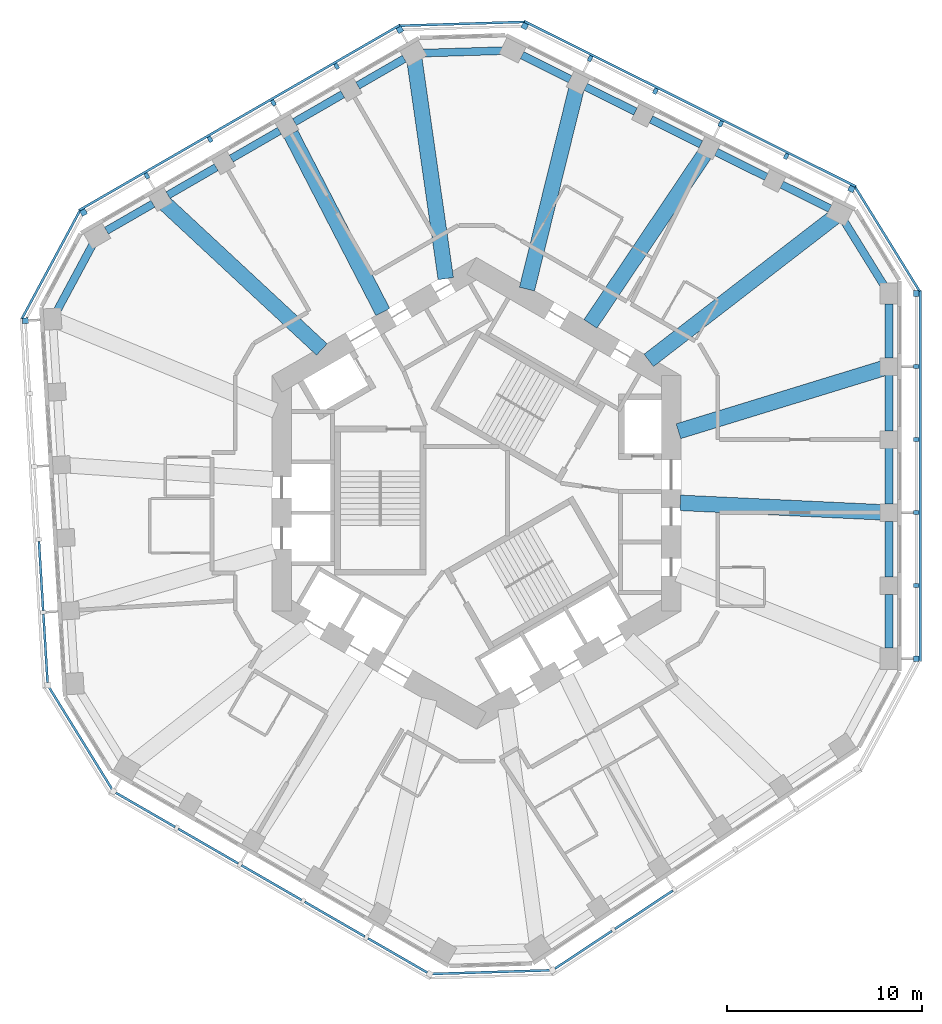
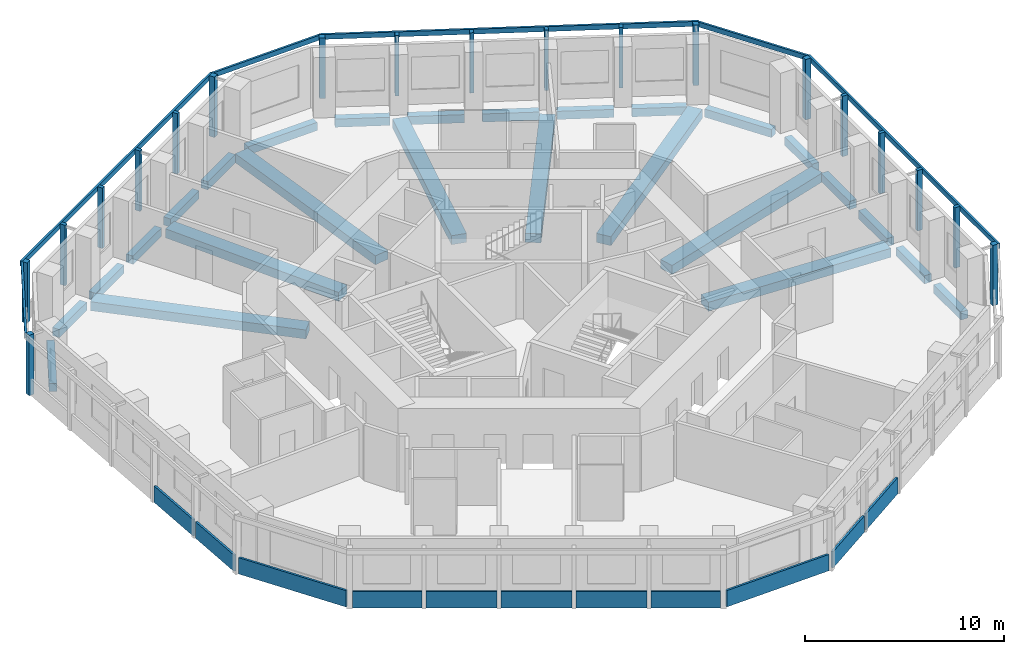
# One storey, part 2 of 11: 26 beams, 25 members, 11 plates, 11 elements without a shape of their own.
"""IFC4 building model written with IfcOpenShell, lengths in metres."""

from ifc_helpers import new_model, si_unit, direction, frame, origin, origin_2d, place, context, subcontext, project, spatial, rectangle, extrude, material, layer, layer_set, material_profile, profile_set, type_object, element, aggregate, save


model = new_model("IFC4")

# Units and contexts
model_context = context("Model", 3, precision=1e-05, world=origin(), true_north=direction((0.0, 1.0)))
body_context = subcontext(model_context, "Body", "Model", "MODEL_VIEW")
ifc_project = project(units=[si_unit("LENGTHUNIT", "METRE"), si_unit("AREAUNIT", "SQUARE_METRE"), si_unit("VOLUMEUNIT", "CUBIC_METRE"), si_unit("PLANEANGLEUNIT", "RADIAN"), si_unit("MASSUNIT", "GRAM", prefix="KILO")], contexts=[model_context])

# Site, building, storey
site_placement = place(None, origin())
site = spatial("IfcSite", under=ifc_project, at=site_placement, CompositionType="ELEMENT")
building_placement = place(site_placement, origin())
building = spatial("IfcBuilding", under=site, at=building_placement, Name="Vanh Sen Convention Tower", CompositionType="ELEMENT")
storey_placement = place(building_placement, frame((0.0, 0.0, 198.39990234375)))
storey = spatial("IfcBuildingStorey", under=building, at=storey_placement, Name="L49", CompositionType="ELEMENT", Elevation=198.39990234375)

# Curtain wall, members
ifc_material_1 = material(Name="Concrete C50/60", Category="concrete")
curtain_wall_type = type_object("IfcCurtainWallType", Name="Outer skin office zone", PredefinedType="NOTDEFINED", material=ifc_material_1)
curtain_wall_1_placement = place(storey_placement, origin())
curtain_wall_1 = element("IfcCurtainWall", 1, at=curtain_wall_1_placement, inside=storey, type_object=curtain_wall_type, Name="OUTER SKIN E L49", PredefinedType="NOTDEFINED")
ifc_material_profile_1 = material_profile(ifc_material_1, rectangle(XDim=0.300048828125, YDim=0.300048828125, at=origin_2d()), Name="Outer skin precast corner fin 300 x 300")
ifc_profile_set_1 = profile_set([ifc_material_profile_1], Name="Concrete C50/60")
member_type_1 = type_object("IfcMemberType", Name="Outer skin precast corner fin 300 x 300", PredefinedType="MULLION", material=ifc_profile_set_1)
member_1_placement = place(storey_placement, frame((22.60009765625, -8.5009765625, 0.0), z_axis=(0.0, 0.0, 1.0), x_axis=(0.0, 1.0, 0.0)))
member_1 = element("IfcMember", 2, at=member_1_placement, type_object=member_type_1, Name="OUTER SKIN CORNER FIN 1 E L49", PredefinedType="MULLION", context=body_context, shape_type="SweptSolid", body=[
    extrude(rectangle(XDim=0.300048828125, YDim=0.300048828125, at=origin_2d()), origin(), (0.0, 0.0, 1.0), 3.7001953125),
])
member_2_placement = place(storey_placement, frame((22.60009765625, 10.26953125, 0.0), z_axis=(0.0, 0.0, 1.0), x_axis=(0.0, 1.0, 0.0)))
member_2 = element("IfcMember", 3, at=member_2_placement, type_object=member_type_1, Name="OUTER SKIN CORNER FIN 6 E L49", PredefinedType="MULLION", context=body_context, shape_type="SweptSolid", body=[
    extrude(rectangle(XDim=0.300048828125, YDim=0.300048828125, at=origin_2d()), origin(), (0.0, 0.0, 1.0), 3.7001953125),
])

curtain_wall_2_placement = place(storey_placement, origin())
curtain_wall_2 = element("IfcCurtainWall", 4, at=curtain_wall_2_placement, inside=storey, type_object=curtain_wall_type, Name="OUTER SKIN NE L49", PredefinedType="NOTDEFINED")
member_3_placement = place(storey_placement, frame((19.274658203125, 15.643310546875, 0.0), z_axis=(0.0, 0.0, 1.0), x_axis=(-0.894934361602, 0.44619781311, 0.0)))
member_3 = element("IfcMember", 5, at=member_3_placement, type_object=member_type_1, Name="OUTER SKIN CORNER FIN 1 NE L49", PredefinedType="MULLION", context=body_context, shape_type="SweptSolid", body=[
    extrude(rectangle(XDim=0.300048828125, YDim=0.300048828125, at=origin_2d()), origin(), (0.0, 0.0, 1.0), 3.7001953125),
])
member_4_placement = place(storey_placement, frame((2.476318359375, 24.0185546875, 0.0), z_axis=(0.0, 0.0, 1.0), x_axis=(-0.894934361602, 0.44619781311, 0.0)))
member_4 = element("IfcMember", 6, at=member_4_placement, type_object=member_type_1, Name="OUTER SKIN CORNER FIN 6 NE L49", PredefinedType="MULLION", context=body_context, shape_type="SweptSolid", body=[
    extrude(rectangle(XDim=0.300048828125, YDim=0.300048828125, at=origin_2d()), origin(), (0.0, 0.0, 1.0), 3.7001953125),
])

curtain_wall_3_placement = place(storey_placement, origin())
curtain_wall_3 = element("IfcCurtainWall", 7, at=curtain_wall_3_placement, inside=storey, type_object=curtain_wall_type, Name="OUTER SKIN NW L49", PredefinedType="NOTDEFINED")
member_5_placement = place(storey_placement, frame((-3.93798828125, 23.822509765625, 0.0), z_axis=(0.0, 0.0, 1.0), x_axis=(-0.866025403784, -0.5, 0.0)))
member_5 = element("IfcMember", 8, at=member_5_placement, type_object=member_type_1, Name="OUTER SKIN CORNER FIN 1 NW L49", PredefinedType="MULLION", context=body_context, shape_type="SweptSolid", body=[
    extrude(rectangle(XDim=0.300048828125, YDim=0.300048828125, at=origin_2d()), origin(), (0.0, 0.0, 1.0), 3.7001953125),
])
member_6_placement = place(storey_placement, frame((-20.193603515625, 14.4375, 0.0), z_axis=(0.0, 0.0, 1.0), x_axis=(-0.866025403784, -0.5, 0.0)))
member_6 = element("IfcMember", 9, at=member_6_placement, type_object=member_type_1, Name="OUTER SKIN CORNER FIN 6 NW L49", PredefinedType="MULLION", context=body_context, shape_type="SweptSolid", body=[
    extrude(rectangle(XDim=0.300048828125, YDim=0.300048828125, at=origin_2d()), origin(), (0.0, 0.0, 1.0), 3.7001953125),
])

# Curtain wall, member
curtain_wall_4_placement = place(storey_placement, origin())
curtain_wall_4 = element("IfcCurtainWall", 10, at=curtain_wall_4_placement, inside=storey, type_object=curtain_wall_type, Name="OUTER SKIN W L49", PredefinedType="NOTDEFINED")
member_7_placement = place(storey_placement, frame((-23.184814453125, 8.87060546875, 0.0), z_axis=(0.0, 0.0, 1.0), x_axis=(0.061048539535, -0.998134798422, 0.0)))
member_7 = element("IfcMember", 11, at=member_7_placement, type_object=member_type_1, Name="OUTER SKIN CORNER FIN 1 W L49", PredefinedType="MULLION", context=body_context, shape_type="SweptSolid", body=[
    extrude(rectangle(XDim=0.300048828125, YDim=0.300048828125, at=origin_2d()), origin(), (0.0, 0.0, 1.0), 3.7001953125),
])

# Member
ifc_material_profile_2 = material_profile(ifc_material_1, rectangle(XDim=0.199951171875, YDim=0.300048828125, at=origin_2d()), Name="Outer skin precast fin 200 x 300")
ifc_profile_set_2 = profile_set([ifc_material_profile_2], Name="Concrete C50/60")
member_type_2 = type_object("IfcMemberType", Name="Outer skin precast fin 200 x 300", PredefinedType="MULLION", material=ifc_profile_set_2)
member_8_placement = place(storey_placement, frame((22.60009765625, -4.746826171875, 0.0), z_axis=(0.0, 0.0, 1.0), x_axis=(0.0, 1.0, 0.0)))
member_8 = element("IfcMember", 12, at=member_8_placement, type_object=member_type_2, Name="OUTER SKIN fin 2 E L49", PredefinedType="MULLION", context=body_context, shape_type="SweptSolid", body=[
    extrude(rectangle(XDim=0.199951171875, YDim=0.300048828125, at=origin_2d()), origin(), (0.0, 0.0, 1.0), 3.7001953125),
])

member_9_placement = place(storey_placement, frame((22.60009765625, -0.992919921875, 0.0), z_axis=(0.0, 0.0, 1.0), x_axis=(0.0, 1.0, 0.0)))
member_9 = element("IfcMember", 13, at=member_9_placement, type_object=member_type_2, Name="OUTER SKIN fin 3 E L49", PredefinedType="MULLION", context=body_context, shape_type="SweptSolid", body=[
    extrude(rectangle(XDim=0.199951171875, YDim=0.300048828125, at=origin_2d()), origin(), (0.0, 0.0, 1.0), 3.7001953125),
])

member_10_placement = place(storey_placement, frame((22.60009765625, 2.76123046875, 0.0), z_axis=(0.0, 0.0, 1.0), x_axis=(0.0, 1.0, 0.0)))
member_10 = element("IfcMember", 14, at=member_10_placement, type_object=member_type_2, Name="OUTER SKIN fin 4 E L49", PredefinedType="MULLION", context=body_context, shape_type="SweptSolid", body=[
    extrude(rectangle(XDim=0.199951171875, YDim=0.300048828125, at=origin_2d()), origin(), (0.0, 0.0, 1.0), 3.7001953125),
])

member_11_placement = place(storey_placement, frame((22.60009765625, 6.515380859375, 0.0), z_axis=(0.0, 0.0, 1.0), x_axis=(0.0, 1.0, 0.0)))
member_11 = element("IfcMember", 15, at=member_11_placement, type_object=member_type_2, Name="OUTER SKIN fin 5 E L49", PredefinedType="MULLION", context=body_context, shape_type="SweptSolid", body=[
    extrude(rectangle(XDim=0.199951171875, YDim=0.300048828125, at=origin_2d()), origin(), (0.0, 0.0, 1.0), 3.7001953125),
])

member_12_placement = place(storey_placement, frame((15.9150390625, 17.318359375, 0.0), z_axis=(0.0, 0.0, 1.0), x_axis=(-0.894934361602, 0.44619781311, 0.0)))
member_12 = element("IfcMember", 16, at=member_12_placement, type_object=member_type_2, Name="OUTER SKIN fin 2 NE L49", PredefinedType="MULLION", context=body_context, shape_type="SweptSolid", body=[
    extrude(rectangle(XDim=0.199951171875, YDim=0.300048828125, at=origin_2d()), origin(), (0.0, 0.0, 1.0), 3.7001953125),
])

member_13_placement = place(storey_placement, frame((12.555419921875, 18.993408203125, 0.0), z_axis=(0.0, 0.0, 1.0), x_axis=(-0.894934361602, 0.44619781311, 0.0)))
member_13 = element("IfcMember", 17, at=member_13_placement, type_object=member_type_2, Name="OUTER SKIN fin 3 NE L49", PredefinedType="MULLION", context=body_context, shape_type="SweptSolid", body=[
    extrude(rectangle(XDim=0.199951171875, YDim=0.300048828125, at=origin_2d()), origin(), (0.0, 0.0, 1.0), 3.7001953125),
])

member_14_placement = place(storey_placement, frame((9.195556640625, 20.66845703125, 0.0), z_axis=(0.0, 0.0, 1.0), x_axis=(-0.894934361602, 0.44619781311, 0.0)))
member_14 = element("IfcMember", 18, at=member_14_placement, type_object=member_type_2, Name="OUTER SKIN fin 4 NE L49", PredefinedType="MULLION", context=body_context, shape_type="SweptSolid", body=[
    extrude(rectangle(XDim=0.199951171875, YDim=0.300048828125, at=origin_2d()), origin(), (0.0, 0.0, 1.0), 3.7001953125),
])

member_15_placement = place(storey_placement, frame((5.8359375, 22.343505859375, 0.0), z_axis=(0.0, 0.0, 1.0), x_axis=(-0.894934361602, 0.44619781311, 0.0)))
member_15 = element("IfcMember", 19, at=member_15_placement, type_object=member_type_2, Name="OUTER SKIN fin 5 NE L49", PredefinedType="MULLION", context=body_context, shape_type="SweptSolid", body=[
    extrude(rectangle(XDim=0.199951171875, YDim=0.300048828125, at=origin_2d()), origin(), (0.0, 0.0, 1.0), 3.7001953125),
])

member_16_placement = place(storey_placement, frame((-7.189208984375, 21.945556640625, 0.0), z_axis=(0.0, 0.0, 1.0), x_axis=(-0.866025403784, -0.5, 0.0)))
member_16 = element("IfcMember", 20, at=member_16_placement, type_object=member_type_2, Name="OUTER SKIN fin 2 NW L49", PredefinedType="MULLION", context=body_context, shape_type="SweptSolid", body=[
    extrude(rectangle(XDim=0.199951171875, YDim=0.300048828125, at=origin_2d()), origin(), (0.0, 0.0, 1.0), 3.7001953125),
])

member_17_placement = place(storey_placement, frame((-10.440185546875, 20.068603515625, 0.0), z_axis=(0.0, 0.0, 1.0), x_axis=(-0.866025403784, -0.5, 0.0)))
member_17 = element("IfcMember", 21, at=member_17_placement, type_object=member_type_2, Name="OUTER SKIN fin 3 NW L49", PredefinedType="MULLION", context=body_context, shape_type="SweptSolid", body=[
    extrude(rectangle(XDim=0.199951171875, YDim=0.300048828125, at=origin_2d()), origin(), (0.0, 0.0, 1.0), 3.7001953125),
])

member_18_placement = place(storey_placement, frame((-13.69140625, 18.19140625, 0.0), z_axis=(0.0, 0.0, 1.0), x_axis=(-0.866025403784, -0.5, 0.0)))
member_18 = element("IfcMember", 22, at=member_18_placement, type_object=member_type_2, Name="OUTER SKIN fin 4 NW L49", PredefinedType="MULLION", context=body_context, shape_type="SweptSolid", body=[
    extrude(rectangle(XDim=0.199951171875, YDim=0.300048828125, at=origin_2d()), origin(), (0.0, 0.0, 1.0), 3.7001953125),
])

member_19_placement = place(storey_placement, frame((-16.9423828125, 16.314453125, 0.0), z_axis=(0.0, 0.0, 1.0), x_axis=(-0.866025403784, -0.5, 0.0)))
member_19 = element("IfcMember", 23, at=member_19_placement, type_object=member_type_2, Name="OUTER SKIN fin 5 NW L49", PredefinedType="MULLION", context=body_context, shape_type="SweptSolid", body=[
    extrude(rectangle(XDim=0.199951171875, YDim=0.300048828125, at=origin_2d()), origin(), (0.0, 0.0, 1.0), 3.7001953125),
])

ifc_material_profile_3 = material_profile(ifc_material_1, rectangle(XDim=0.1201171875, YDim=0.300048828125, at=origin_2d()), Name="Outer skin precast spandrel band 300 x 120")
ifc_profile_set_3 = profile_set([ifc_material_profile_3], Name="Concrete C50/60")
member_type_3 = type_object("IfcMemberType", Name="Outer skin precast spandrel band 300 x 120", PredefinedType="USERDEFINED", material=ifc_profile_set_3)
member_20_placement = place(storey_placement, frame((22.81005859375, -8.65087890625, 3.550048828125), z_axis=(0.0, 1.0, 0.0), x_axis=(-1.0, 0.0, 0.0)))
member_20 = element("IfcMember", 24, at=member_20_placement, type_object=member_type_3, Name="OUTER SKIN spandrel band E L49", ObjectType="TRANSOM", PredefinedType="USERDEFINED", context=body_context, shape_type="SweptSolid", body=[
    extrude(rectangle(XDim=0.1201171875, YDim=0.300048828125, at=origin_2d()), origin(), (0.0, 0.0, 1.0), 19.0703125),
])

aggregate(curtain_wall_1, [member_1, member_8, member_9, member_10, member_11, member_2, member_20])

# Curtain wall, member
curtain_wall_5_placement = place(storey_placement, origin())
curtain_wall_5 = element("IfcCurtainWall", 25, at=curtain_wall_5_placement, inside=storey, type_object=curtain_wall_type, Name="OUTER SKIN CH1 L49", PredefinedType="NOTDEFINED")
member_21_placement = place(storey_placement, frame((22.778564453125, 10.3798828125, 3.550048828125), z_axis=(-0.526173726926, 0.850377098171, 0.0), x_axis=(-0.850377098171, -0.526173726926, 0.0)))
member_21 = element("IfcMember", 26, at=member_21_placement, type_object=member_type_3, Name="OUTER SKIN spandrel band CH1 L49", ObjectType="TRANSOM", PredefinedType="USERDEFINED", context=body_context, shape_type="SweptSolid", body=[
    extrude(rectangle(XDim=0.1201171875, YDim=0.300048828125, at=origin_2d()), origin(), (0.0, 0.0, 1.0), 6.319580078125),
])
aggregate(curtain_wall_5, [member_21])

# Member
member_22_placement = place(storey_placement, frame((19.502685546875, 15.764404296875, 3.550048828125), z_axis=(-0.894941234474, 0.446184027996, 0.0), x_axis=(-0.446184027996, -0.894941234474, 0.0)))
member_22 = element("IfcMember", 27, at=member_22_placement, type_object=member_type_3, Name="OUTER SKIN spandrel band NE L49", ObjectType="TRANSOM", PredefinedType="USERDEFINED", context=body_context, shape_type="SweptSolid", body=[
    extrude(rectangle(XDim=0.1201171875, YDim=0.300048828125, at=origin_2d()), origin(), (0.0, 0.0, 1.0), 19.07080078125),
])

aggregate(curtain_wall_2, [member_3, member_12, member_13, member_14, member_15, member_4, member_22])

# Curtain wall, member
curtain_wall_6_placement = place(storey_placement, origin())
curtain_wall_6 = element("IfcCurtainWall", 28, at=curtain_wall_6_placement, inside=storey, type_object=curtain_wall_type, Name="OUTER SKIN CH2 L49", PredefinedType="NOTDEFINED")
member_23_placement = place(storey_placement, frame((2.4697265625, 24.228515625, 3.550048828125), z_axis=(-0.999533221695, -0.030550592913, 0.0), x_axis=(0.030550592913, -0.999533221695, 0.0)))
member_23 = element("IfcMember", 29, at=member_23_placement, type_object=member_type_3, Name="OUTER SKIN spandrel band CH2 L49", ObjectType="TRANSOM", PredefinedType="USERDEFINED", context=body_context, shape_type="SweptSolid", body=[
    extrude(rectangle(XDim=0.1201171875, YDim=0.300048828125, at=origin_2d()), origin(), (0.0, 0.0, 1.0), 6.4169921875),
])
aggregate(curtain_wall_6, [member_23])

# Member
member_24_placement = place(storey_placement, frame((-3.9130859375, 24.07958984375, 3.550048828125), z_axis=(-0.866023136587, -0.500003926881, 0.0), x_axis=(0.500003926881, -0.866023136587, 0.0)))
member_24 = element("IfcMember", 30, at=member_24_placement, type_object=member_type_3, Name="OUTER SKIN spandrel band NW L49", ObjectType="TRANSOM", PredefinedType="USERDEFINED", context=body_context, shape_type="SweptSolid", body=[
    extrude(rectangle(XDim=0.1201171875, YDim=0.300048828125, at=origin_2d()), origin(), (0.0, 0.0, 1.0), 19.070556640625),
])

aggregate(curtain_wall_3, [member_5, member_16, member_17, member_18, member_19, member_6, member_24])

# Curtain wall, member
curtain_wall_7_placement = place(storey_placement, origin())
curtain_wall_7 = element("IfcCurtainWall", 31, at=curtain_wall_7_placement, inside=storey, type_object=curtain_wall_type, Name="OUTER SKIN CH3 L49", PredefinedType="NOTDEFINED")
member_25_placement = place(storey_placement, frame((-20.378662109375, 14.536865234375, 3.550048828125), z_axis=(-0.47333707755, -0.880881383057, 0.0), x_axis=(0.880881383057, -0.47333707755, 0.0)))
member_25 = element("IfcMember", 32, at=member_25_placement, type_object=member_type_3, Name="OUTER SKIN spandrel band CH3 L49", ObjectType="TRANSOM", PredefinedType="USERDEFINED", context=body_context, shape_type="SweptSolid", body=[
    extrude(rectangle(XDim=0.1201171875, YDim=0.300048828125, at=origin_2d()), origin(), (0.0, 0.0, 1.0), 6.3193359375),
])
aggregate(curtain_wall_7, [member_25])

# Beams
ifc_material_2 = material(Name="Concrete C50/60", Category="concrete")
ifc_material_profile_4 = material_profile(ifc_material_2, rectangle(XDim=0.800048828125, YDim=0.550048828125, at=origin_2d()), Name="RC 800X550")
ifc_profile_set_4 = profile_set([ifc_material_profile_4], Name="Concrete C50/60")
beam_type_1 = type_object("IfcBeamType", Name="Radial floor beam 800 x 550", PredefinedType="BEAM", material=ifc_profile_set_4)
beam_1_placement = place(storey_placement, frame((20.773681640625, -0.972900390625, -0.554931640625), z_axis=(-0.998904385593, 0.046797739721, 0.0), x_axis=(-0.046797739721, -0.998904385593, 0.0)))
element("IfcBeam", 33, at=beam_1_placement, inside=storey, type_object=beam_type_1, Name="Radial beam 02 L49", PredefinedType="BEAM", context=body_context, shape_type="SweptSolid", body=[
    extrude(rectangle(XDim=0.800048828125, YDim=0.550048828125, at=origin_2d()), origin(), (0.0, 0.0, 1.0), 10.30859375),
])
beam_2_placement = place(storey_placement, frame((20.984619140625, 6.44921875, -0.554931640625), z_axis=(-0.955877901986, -0.293764253264, 0.0), x_axis=(0.293764253264, -0.955877901986, 0.0)))
element("IfcBeam", 34, at=beam_2_placement, inside=storey, type_object=beam_type_1, Name="Radial beam 03 L49", PredefinedType="BEAM", context=body_context, shape_type="SweptSolid", body=[
    extrude(rectangle(XDim=0.800048828125, YDim=0.550048828125, at=origin_2d()), origin(), (0.0, 0.0, 1.0), 11.096435546875),
])
beam_3_placement = place(storey_placement, frame((18.41162109375, 14.206298828125, -0.554931640625), z_axis=(-0.791722449679, -0.610880972591, 0.0), x_axis=(0.610880972591, -0.791722449679, 0.0)))
element("IfcBeam", 35, at=beam_3_placement, inside=storey, type_object=beam_type_1, Name="Radial beam 04 L49", PredefinedType="BEAM", context=body_context, shape_type="SweptSolid", body=[
    extrude(rectangle(XDim=0.800048828125, YDim=0.550048828125, at=origin_2d()), origin(), (0.0, 0.0, 1.0), 12.072021484375),
])
beam_4_placement = place(storey_placement, frame((11.709228515625, 17.411376953125, -0.554931640625), z_axis=(-0.55804705103, -0.829809308719, 0.0), x_axis=(0.829809308719, -0.55804705103, 0.0)))
element("IfcBeam", 36, at=beam_4_placement, inside=storey, type_object=beam_type_1, Name="Radial beam 05 L49", PredefinedType="BEAM", context=body_context, shape_type="SweptSolid", body=[
    extrude(rectangle(XDim=0.800048828125, YDim=0.550048828125, at=origin_2d()), origin(), (0.0, 0.0, 1.0), 10.490234375),
])
beam_5_placement = place(storey_placement, frame((5.14697265625, 20.83056640625, -0.554931640625), z_axis=(-0.239880379488, -0.970802453405, 0.0), x_axis=(0.970802453405, -0.239880379488, 0.0)))
element("IfcBeam", 37, at=beam_5_placement, inside=storey, type_object=beam_type_1, Name="Radial beam 06 L49", PredefinedType="BEAM", context=body_context, shape_type="SweptSolid", body=[
    extrude(rectangle(XDim=0.800048828125, YDim=0.550048828125, at=origin_2d()), origin(), (0.0, 0.0, 1.0), 10.647705078125),
])
beam_6_placement = place(storey_placement, frame((-3.192626953125, 22.2939453125, -0.554931640625), z_axis=(0.141775948022, -0.989898772887, 0.0), x_axis=(0.989898772887, 0.141775948022, 0.0)))
element("IfcBeam", 38, at=beam_6_placement, inside=storey, type_object=beam_type_1, Name="Radial beam 07 L49", PredefinedType="BEAM", context=body_context, shape_type="SweptSolid", body=[
    extrude(rectangle(XDim=0.800048828125, YDim=0.550048828125, at=origin_2d()), origin(), (0.0, 0.0, 1.0), 11.3740234375),
])
beam_7_placement = place(storey_placement, frame((-9.544189453125, 18.476806640625, -0.554931640625), z_axis=(0.458940914306, -0.888466790137, 0.0), x_axis=(0.888466790137, 0.458940914306, 0.0)))
element("IfcBeam", 39, at=beam_7_placement, inside=storey, type_object=beam_type_1, Name="Radial beam 08 L49", PredefinedType="BEAM", context=body_context, shape_type="SweptSolid", body=[
    extrude(rectangle(XDim=0.800048828125, YDim=0.550048828125, at=origin_2d()), origin(), (0.0, 0.0, 1.0), 10.308349609375),
])
beam_8_placement = place(storey_placement, frame((-16.077392578125, 14.948486328125, -0.554931640625), z_axis=(0.732348237662, -0.680930289232, 0.0), x_axis=(0.680930289232, 0.732348237662, 0.0)))
element("IfcBeam", 40, at=beam_8_placement, inside=storey, type_object=beam_type_1, Name="Radial beam 09 L49", PredefinedType="BEAM", context=body_context, shape_type="SweptSolid", body=[
    extrude(rectangle(XDim=0.800048828125, YDim=0.550048828125, at=origin_2d()), origin(), (0.0, 0.0, 1.0), 11.096435546875),
])
ifc_material_profile_5 = material_profile(ifc_material_2, rectangle(XDim=0.39990234375, YDim=0.5, at=origin_2d()), Name="RC 400X500")
ifc_profile_set_5 = profile_set([ifc_material_profile_5], Name="Concrete C50/60")
beam_type_2 = type_object("IfcBeamType", Name="Spandrel beam 400 x 500", PredefinedType="SPANDREL", material=ifc_profile_set_5)
beam_9_placement = place(storey_placement, frame((21.199951171875, -7.9560546875, -0.52978515625), z_axis=(0.0, 1.0, 0.0), x_axis=(-1.0, 0.0, 0.0)))
element("IfcBeam", 41, at=beam_9_placement, inside=storey, type_object=beam_type_2, Name="Spandrel beam 01 L49", PredefinedType="SPANDREL", context=body_context, shape_type="SweptSolid", body=[
    extrude(rectangle(XDim=0.39990234375, YDim=0.5, at=origin_2d()), origin(), (0.0, 0.0, 1.0), 2.76416015625),
])
for number, where, z_axis, x_axis, name in (
    (42, (21.199951171875, -4.302001953125, -0.52978515625), (0.0, 1.0, 0.0), (-1.0, 0.0, 0.0), "Spandrel beam 02 L49"),
    (43, (21.199951171875, -0.5478515625, -0.52978515625), (0.0, 1.0, 0.0), (-1.0, 0.0, 0.0), "Spandrel beam 03 L49"),
):
    element("IfcBeam", number, at=place(storey_placement, frame(where, z_axis=z_axis, x_axis=x_axis)), inside=storey, type_object=beam_type_2, Name=name, PredefinedType="SPANDREL", context=body_context, shape_type="SweptSolid", body=[
        extrude(rectangle(XDim=0.39990234375, YDim=0.5, at=origin_2d()), origin(), (0.0, 0.0, 1.0), 2.8642578125),
    ])
beam_10_placement = place(storey_placement, frame((21.199951171875, 3.206298828125, -0.52978515625), z_axis=(0.0, 1.0, 0.0), x_axis=(-1.0, 0.0, 0.0)))
element("IfcBeam", 44, at=beam_10_placement, inside=storey, type_object=beam_type_2, Name="Spandrel beam 04 L49", PredefinedType="SPANDREL", context=body_context, shape_type="SweptSolid", body=[
    extrude(rectangle(XDim=0.39990234375, YDim=0.5, at=origin_2d()), origin(), (0.0, 0.0, 1.0), 2.864013671875),
])
beam_11_placement = place(storey_placement, frame((21.199951171875, 6.96044921875, -0.52978515625), z_axis=(0.0, 1.0, 0.0), x_axis=(-1.0, 0.0, 0.0)))
element("IfcBeam", 45, at=beam_11_placement, inside=storey, type_object=beam_type_2, Name="Spandrel beam 05 L49", PredefinedType="SPANDREL", context=body_context, shape_type="SweptSolid", body=[
    extrude(rectangle(XDim=0.39990234375, YDim=0.5, at=origin_2d()), origin(), (0.0, 0.0, 1.0), 2.76416015625),
])
beam_12_placement = place(storey_placement, frame((20.927490234375, 10.7099609375, -0.52978515625), z_axis=(-0.526197985388, 0.850362087686, 0.0), x_axis=(-0.850362087686, -0.526197985388, 0.0)))
element("IfcBeam", 46, at=beam_12_placement, inside=storey, type_object=beam_type_2, Name="Spandrel beam 06 L49", PredefinedType="SPANDREL", context=body_context, shape_type="SweptSolid", body=[
    extrude(rectangle(XDim=0.39990234375, YDim=0.5, at=origin_2d()), origin(), (0.0, 0.0, 1.0), 3.81005859375),
])
beam_13_placement = place(storey_placement, frame((18.162353515625, 14.633544921875, -0.52978515625), z_axis=(-0.894938855842, 0.446188798945, 0.0), x_axis=(-0.446188798945, -0.894938855842, 0.0)))
element("IfcBeam", 47, at=beam_13_placement, inside=storey, type_object=beam_type_2, Name="Spandrel beam 07 L49", PredefinedType="SPANDREL", context=body_context, shape_type="SweptSolid", body=[
    extrude(rectangle(XDim=0.39990234375, YDim=0.5, at=origin_2d()), origin(), (0.0, 0.0, 1.0), 2.764404296875),
])
for number, where, z_axis, x_axis, name in (
    (48, (14.89208984375, 16.263916015625, -0.52978515625), (-0.894921028884, 0.446224553406, 0.0), (-0.446224553406, -0.894921028884, 0.0), "Spandrel beam 08 L49"),
    (49, (11.532470703125, 17.939208984375, -0.52978515625), (-0.894972032358, 0.446122249273, 0.0), (-0.446122249273, -0.894972032358, 0.0), "Spandrel beam 09 L49"),
):
    element("IfcBeam", number, at=place(storey_placement, frame(where, z_axis=z_axis, x_axis=x_axis)), inside=storey, type_object=beam_type_2, Name=name, PredefinedType="SPANDREL", context=body_context, shape_type="SweptSolid", body=[
        extrude(rectangle(XDim=0.39990234375, YDim=0.5, at=origin_2d()), origin(), (0.0, 0.0, 1.0), 2.8642578125),
    ])
beam_14_placement = place(storey_placement, frame((8.172607421875, 19.6142578125, -0.52978515625), z_axis=(-0.89495506643, 0.446156283236, 0.0), x_axis=(-0.446156283236, -0.89495506643, 0.0)))
element("IfcBeam", 50, at=beam_14_placement, inside=storey, type_object=beam_type_2, Name="Spandrel beam 10 L49", PredefinedType="SPANDREL", context=body_context, shape_type="SweptSolid", body=[
    extrude(rectangle(XDim=0.39990234375, YDim=0.5, at=origin_2d()), origin(), (0.0, 0.0, 1.0), 2.864013671875),
])
beam_15_placement = place(storey_placement, frame((4.81298828125, 21.289306640625, -0.52978515625), z_axis=(-0.894974121341, 0.446118058511, 0.0), x_axis=(-0.446118058511, -0.894974121341, 0.0)))
element("IfcBeam", 51, at=beam_15_placement, inside=storey, type_object=beam_type_2, Name="Spandrel beam 11 L49", PredefinedType="SPANDREL", context=body_context, shape_type="SweptSolid", body=[
    extrude(rectangle(XDim=0.39990234375, YDim=0.5, at=origin_2d()), origin(), (0.0, 0.0, 1.0), 2.76416015625),
])
beam_16_placement = place(storey_placement, frame((1.33984375, 22.75, -0.52978515625), z_axis=(-0.999533327508, -0.030547130814, 0.0), x_axis=(0.030547130814, -0.999533327508, 0.0)))
element("IfcBeam", 52, at=beam_16_placement, inside=storey, type_object=beam_type_2, Name="Spandrel beam 12 L49", PredefinedType="SPANDREL", context=body_context, shape_type="SweptSolid", body=[
    extrude(rectangle(XDim=0.39990234375, YDim=0.5, at=origin_2d()), origin(), (0.0, 0.0, 1.0), 4.068115234375),
])
beam_17_placement = place(storey_placement, frame((-3.7099609375, 22.337646484375, -0.52978515625), z_axis=(-0.866060565847, -0.499939092575, 0.0), x_axis=(0.499939092575, -0.866060565847, 0.0)))
element("IfcBeam", 53, at=beam_17_placement, inside=storey, type_object=beam_type_2, Name="Spandrel beam 13 L49", PredefinedType="SPANDREL", context=body_context, shape_type="SweptSolid", body=[
    extrude(rectangle(XDim=0.39990234375, YDim=0.5, at=origin_2d()), origin(), (0.0, 0.0, 1.0), 2.763916015625),
])
for number, where, z_axis, x_axis, name in (
    (54, (-6.87451171875, 20.5107421875, -0.52978515625), (-0.865999615357, -0.500044664207, 0.0), (0.500044664207, -0.865999615357, 0.0), "Spandrel beam 14 L49"),
    (55, (-10.12548828125, 18.633544921875, -0.52978515625), (-0.8660578368, -0.499943820161, 0.0), (0.499943820161, -0.8660578368, 0.0), "Spandrel beam 15 L49"),
):
    element("IfcBeam", number, at=place(storey_placement, frame(where, z_axis=z_axis, x_axis=x_axis)), inside=storey, type_object=beam_type_2, Name=name, PredefinedType="SPANDREL", context=body_context, shape_type="SweptSolid", body=[
        extrude(rectangle(XDim=0.39990234375, YDim=0.5, at=origin_2d()), origin(), (0.0, 0.0, 1.0), 2.864013671875),
    ])
beam_18_placement = place(storey_placement, frame((-13.376708984375, 16.756591796875, -0.52978515625), z_axis=(-0.866020927947, -0.500007752297, 0.0), x_axis=(0.500007752297, -0.866020927947, 0.0)))
element("IfcBeam", 56, at=beam_18_placement, inside=storey, type_object=beam_type_2, Name="Spandrel beam 16 L49", PredefinedType="SPANDREL", context=body_context, shape_type="SweptSolid", body=[
    extrude(rectangle(XDim=0.39990234375, YDim=0.5, at=origin_2d()), origin(), (0.0, 0.0, 1.0), 2.8642578125),
])
beam_19_placement = place(storey_placement, frame((-16.6279296875, 14.87939453125, -0.52978515625), z_axis=(-0.866060565847, -0.499939092575, 0.0), x_axis=(0.499939092575, -0.866060565847, 0.0)))
element("IfcBeam", 57, at=beam_19_placement, inside=storey, type_object=beam_type_2, Name="Spandrel beam 17 L49", PredefinedType="SPANDREL", context=body_context, shape_type="SweptSolid", body=[
    extrude(rectangle(XDim=0.39990234375, YDim=0.5, at=origin_2d()), origin(), (0.0, 0.0, 1.0), 2.763916015625),
])
beam_20_placement = place(storey_placement, frame((-19.739013671875, 12.768798828125, -0.52978515625), z_axis=(-0.473293335868, -0.880904886025, 0.0), x_axis=(0.880904886025, -0.473293335868, 0.0)))
element("IfcBeam", 58, at=beam_20_placement, inside=storey, type_object=beam_type_2, Name="Spandrel beam 18 L49", PredefinedType="SPANDREL", context=body_context, shape_type="SweptSolid", body=[
    extrude(rectangle(XDim=0.39990234375, YDim=0.5, at=origin_2d()), origin(), (0.0, 0.0, 1.0), 3.81005859375),
])

# Plate
ifc_layer = layer(ifc_material_1, 0.1201171875)
ifc_layer_set = layer_set([ifc_layer], Name="Concrete C50/60")
plate_type = type_object("IfcPlateType", Name="Outer skin precast screen panel 120", PredefinedType="CURTAIN_PANEL", material=ifc_layer_set)
plate_1_placement = place(storey_placement, frame((-22.382568359375, -4.244140625, 0.0), z_axis=(0.0, 0.0, 1.0), x_axis=(0.061025892559, -0.998136183312, 0.0)))
plate_1 = element("IfcPlate", 59, at=plate_1_placement, type_object=plate_type, Name="OUTER SKIN screen panel W-4", PredefinedType="CURTAIN_PANEL", context=body_context, shape_type="SweptSolid", body=[
    extrude(rectangle(XDim=3.55419921875, YDim=0.1201171875, at=origin_2d()), origin(), (0.0, 0.0, 1.0), 1.0),
])

plate_2_placement = place(storey_placement, frame((-22.155029296875, -7.96630859375, 0.0), z_axis=(0.0, 0.0, 1.0), x_axis=(0.061053765756, -0.998134478759, 0.0)))
plate_2 = element("IfcPlate", 60, at=plate_2_placement, type_object=plate_type, Name="OUTER SKIN screen panel W-5", PredefinedType="CURTAIN_PANEL", context=body_context, shape_type="SweptSolid", body=[
    extrude(rectangle(XDim=3.504150390625, YDim=0.1201171875, at=origin_2d()), origin(), (0.0, 0.0, 1.0), 1.0),
])

aggregate(curtain_wall_4, [member_7, plate_1, plate_2])

# Curtain wall, plate
curtain_wall_8_placement = place(storey_placement, origin())
curtain_wall_8 = element("IfcCurtainWall", 61, at=curtain_wall_8_placement, inside=storey, type_object=curtain_wall_type, Name="OUTER SKIN CH4 L49", PredefinedType="NOTDEFINED")
plate_3_placement = place(storey_placement, frame((-20.3505859375, -12.59326171875, 0.0), z_axis=(0.0, 0.0, 1.0), x_axis=(0.526218376078, -0.850349469734, 0.0)))
plate_3 = element("IfcPlate", 62, at=plate_3_placement, type_object=plate_type, Name="OUTER SKIN screen panel CH4-1", PredefinedType="CURTAIN_PANEL", context=body_context, shape_type="SweptSolid", body=[
    extrude(rectangle(XDim=6.1171875, YDim=0.1201171875, at=origin_2d()), origin(), (0.0, 0.0, 1.0), 1.0),
])
aggregate(curtain_wall_8, [plate_3])

# Curtain wall, plates
curtain_wall_9_placement = place(storey_placement, origin())
curtain_wall_9 = element("IfcCurtainWall", 63, at=curtain_wall_9_placement, inside=storey, type_object=curtain_wall_type, Name="OUTER SKIN SW L49", PredefinedType="NOTDEFINED")
plate_4_placement = place(storey_placement, frame((-17.014892578125, -16.272705078125, 0.0), z_axis=(0.0, 0.0, 1.0), x_axis=(0.86602365845, -0.500003022996, 0.0)))
plate_4 = element("IfcPlate", 64, at=plate_4_placement, type_object=plate_type, Name="OUTER SKIN screen panel SW-1", PredefinedType="CURTAIN_PANEL", context=body_context, shape_type="SweptSolid", body=[
    extrude(rectangle(XDim=3.504150390625, YDim=0.1201171875, at=origin_2d()), origin(), (0.0, 0.0, 1.0), 1.0),
])
plate_5_placement = place(storey_placement, frame((-13.785400390625, -18.13720703125, 0.0), z_axis=(0.0, 0.0, 1.0), x_axis=(0.866028021766, -0.499995465495, 0.0)))
plate_5 = element("IfcPlate", 65, at=plate_5_placement, type_object=plate_type, Name="OUTER SKIN screen panel SW-2", PredefinedType="CURTAIN_PANEL", context=body_context, shape_type="SweptSolid", body=[
    extrude(rectangle(XDim=3.553955078125, YDim=0.1201171875, at=origin_2d()), origin(), (0.0, 0.0, 1.0), 1.0),
])
plate_6_placement = place(storey_placement, frame((-10.5341796875, -20.014404296875, 0.0), z_axis=(0.0, 0.0, 1.0), x_axis=(0.86602365845, -0.500003022996, 0.0)))
plate_6 = element("IfcPlate", 66, at=plate_6_placement, type_object=plate_type, Name="OUTER SKIN screen panel SW-3", PredefinedType="CURTAIN_PANEL", context=body_context, shape_type="SweptSolid", body=[
    extrude(rectangle(XDim=3.55419921875, YDim=0.1201171875, at=origin_2d()), origin(), (0.0, 0.0, 1.0), 1.0),
])
plate_7_placement = place(storey_placement, frame((-7.283203125, -21.891357421875, 0.0), z_axis=(0.0, 0.0, 1.0), x_axis=(0.866016677006, -0.500015114919, 0.0)))
plate_7 = element("IfcPlate", 67, at=plate_7_placement, type_object=plate_type, Name="OUTER SKIN screen panel SW-4", PredefinedType="CURTAIN_PANEL", context=body_context, shape_type="SweptSolid", body=[
    extrude(rectangle(XDim=3.55419921875, YDim=0.1201171875, at=origin_2d()), origin(), (0.0, 0.0, 1.0), 1.0),
])
plate_8_placement = place(storey_placement, frame((-4.0537109375, -23.755859375, 0.0), z_axis=(0.0, 0.0, 1.0), x_axis=(0.866035002936, -0.499983373414, 0.0)))
plate_8 = element("IfcPlate", 68, at=plate_8_placement, type_object=plate_type, Name="OUTER SKIN screen panel SW-5", PredefinedType="CURTAIN_PANEL", context=body_context, shape_type="SweptSolid", body=[
    extrude(rectangle(XDim=3.504150390625, YDim=0.1201171875, at=origin_2d()), origin(), (0.0, 0.0, 1.0), 1.0),
])
aggregate(curtain_wall_9, [plate_4, plate_5, plate_6, plate_7, plate_8])

# Curtain wall, plate
curtain_wall_10_placement = place(storey_placement, origin())
curtain_wall_10 = element("IfcCurtainWall", 69, at=curtain_wall_10_placement, inside=storey, type_object=curtain_wall_type, Name="OUTER SKIN CH5 L49", PredefinedType="NOTDEFINED")
plate_9_placement = place(storey_placement, frame((0.751953125, -24.6103515625, 0.0), z_axis=(0.0, 0.0, 1.0), x_axis=(0.999533537535, 0.030540257725, 0.0)))
plate_9 = element("IfcPlate", 70, at=plate_9_placement, type_object=plate_type, Name="OUTER SKIN screen panel CH5-1", PredefinedType="CURTAIN_PANEL", context=body_context, shape_type="SweptSolid", body=[
    extrude(rectangle(XDim=6.019287109375, YDim=0.1201171875, at=origin_2d()), origin(), (0.0, 0.0, 1.0), 1.0),
])
aggregate(curtain_wall_10, [plate_9])

# Curtain wall, plates
curtain_wall_11_placement = place(storey_placement, origin())
curtain_wall_11 = element("IfcCurtainWall", 71, at=curtain_wall_11_placement, inside=storey, type_object=curtain_wall_type, Name="OUTER SKIN SE L49", PredefinedType="NOTDEFINED")
plate_10_placement = place(storey_placement, frame((5.49609375, -23.464111328125, 0.0), z_axis=(0.0, 0.0, 1.0), x_axis=(0.833889675294, 0.551931163677, 0.0)))
plate_10 = element("IfcPlate", 72, at=plate_10_placement, type_object=plate_type, Name="OUTER SKIN screen panel SE-1", PredefinedType="CURTAIN_PANEL", context=body_context, shape_type="SweptSolid", body=[
    extrude(rectangle(XDim=3.504150390625, YDim=0.1201171875, at=origin_2d()), origin(), (0.0, 0.0, 1.0), 1.0),
])
plate_11_placement = place(storey_placement, frame((8.60595703125, -21.406005859375, 0.0), z_axis=(0.0, 0.0, 1.0), x_axis=(0.833889675294, 0.551931163677, 0.0)))
plate_11 = element("IfcPlate", 73, at=plate_11_placement, type_object=plate_type, Name="OUTER SKIN screen panel SE-2", PredefinedType="CURTAIN_PANEL", context=body_context, shape_type="SweptSolid", body=[
    extrude(rectangle(XDim=3.55419921875, YDim=0.1201171875, at=origin_2d()), origin(), (0.0, 0.0, 1.0), 1.0),
])
aggregate(curtain_wall_11, [plate_10, plate_11])

save(model, "model.ifc")
